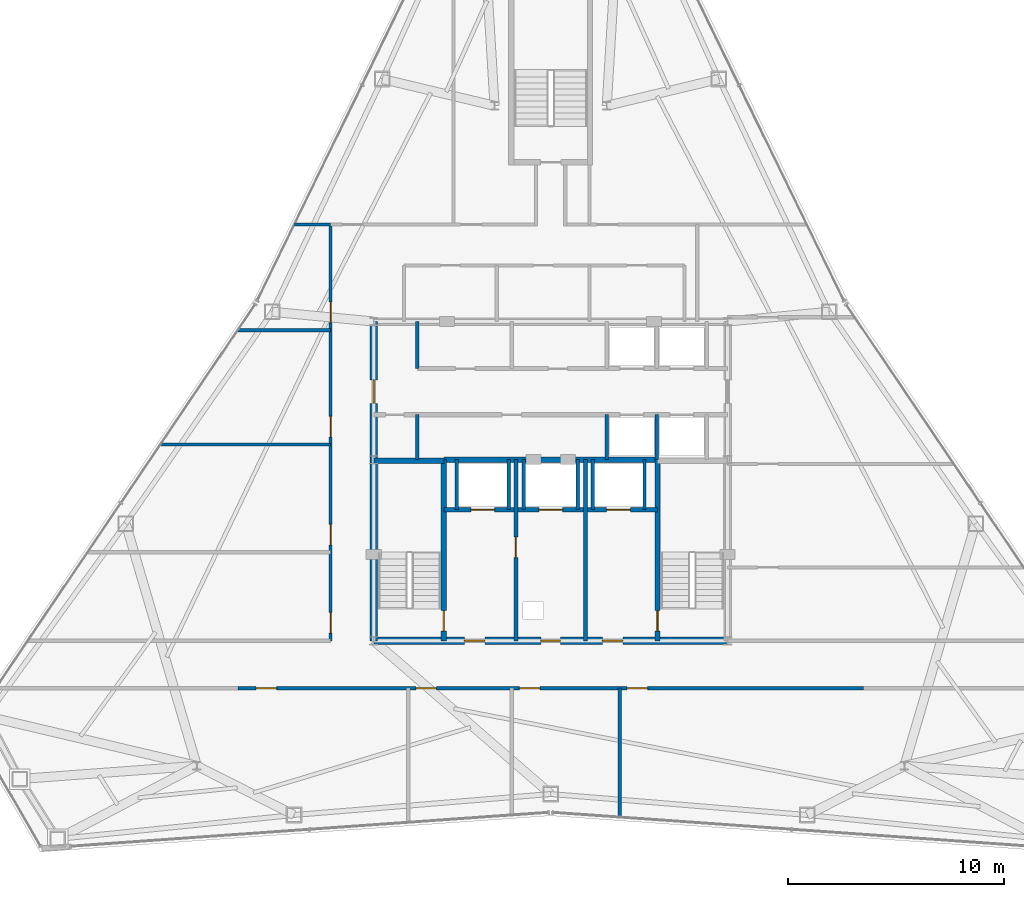
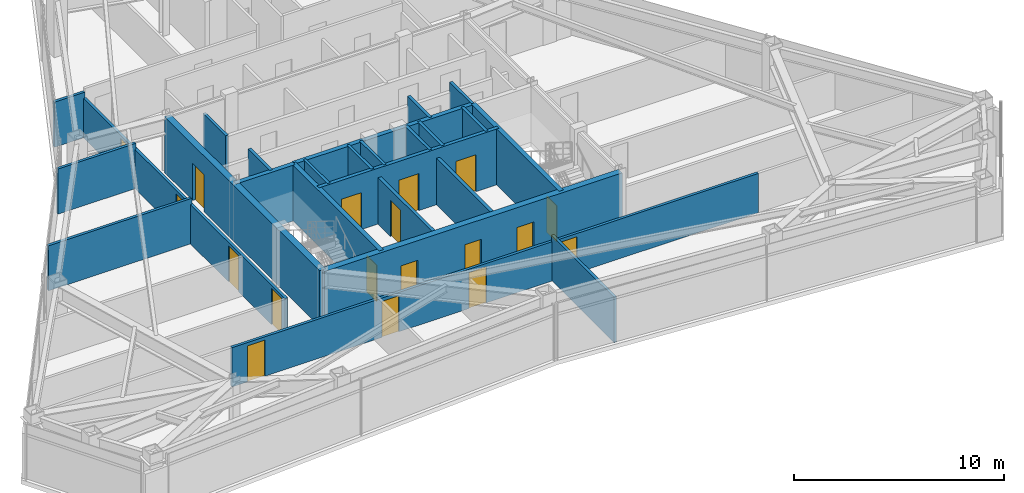
# One storey, part 9 of 12: 25 walls, 18 doors, 18 openings.
"""IFC4 building model written with IfcOpenShell, lengths in metres."""

from ifc_helpers import new_model, si_unit, direction, frame, frame_2d, origin, place, context, subcontext, project, spatial, rectangle, extrude, material, layer, layer_set, type_object, element, fill, save


model = new_model("IFC4")

# Units and contexts
model_context = context("Model", 3, precision=1e-05, world=origin(), true_north=direction((0.0, 1.0)))
body_context = subcontext(model_context, "Body", "Model", "MODEL_VIEW")
ifc_project = project(units=[si_unit("LENGTHUNIT", "METRE"), si_unit("AREAUNIT", "SQUARE_METRE"), si_unit("VOLUMEUNIT", "CUBIC_METRE"), si_unit("PLANEANGLEUNIT", "RADIAN"), si_unit("MASSUNIT", "GRAM", prefix="KILO")], contexts=[model_context])

# Site, building, storey
site_placement = place(None, origin())
site = spatial("IfcSite", under=ifc_project, at=site_placement, CompositionType="ELEMENT")
building_placement = place(site_placement, origin())
building = spatial("IfcBuilding", under=site, at=building_placement, Name="Varakhsha Concourse Tower", CompositionType="ELEMENT")
storey_placement = place(building_placement, frame((0.0, 0.0, 208.39990234375)))
storey = spatial("IfcBuildingStorey", under=building, at=storey_placement, Name="L59", CompositionType="ELEMENT", Elevation=208.39990234375)

# Wall, openings, doors
ifc_material_1 = material(Name="Concrete fc 65 MPa", Category="concrete")
ifc_layer_1 = layer(ifc_material_1, 0.35009765625, Name="WL-CORE-350")
ifc_layer_set_1 = layer_set([ifc_layer_1], Name="Concrete fc 65 MPa")
wall_type_1 = type_object("IfcWallType", Name="WL-CORE-350", PredefinedType="SHEAR", material=ifc_layer_set_1)
wall_1_placement = place(storey_placement, frame((31.800048828125, 16.39990234375, 0.0), z_axis=(0.0, 0.0, 1.0), x_axis=(1.0, 0.0, 0.0)))
wall_1 = element("IfcWall", 1, at=wall_1_placement, inside=storey, type_object=wall_type_1, Name="L59 Wall CWALL-S-L59", PredefinedType="SHEAR", context=body_context, shape_type="SweptSolid", body=[
    extrude(rectangle(XDim=16.39990234375, YDim=0.35009765625, at=frame_2d((8.199951171875, 0.0))), origin(), (0.0, 0.0, 1.0), 3.25),
])
opening_1_placement = place(wall_1_placement, frame((7.75, 0.0, 0.0)))
opening_1 = element("IfcOpeningElement", 2, at=opening_1_placement, cuts=wall_1, Name="Opening DF-06", PredefinedType="OPENING", context=body_context, shape_type="SweptSolid", body=[
    extrude(rectangle(XDim=0.89990234375, YDim=2.10009765625, at=frame_2d((0.449951171875, 1.050048828125))), frame((0.0, 0.18505859375, 0.0), z_axis=(0.0, -1.0, 0.0), x_axis=(1.0, 0.0, 0.0)), (0.0, 0.0, 1.0), 0.3701171875),
])
opening_2_placement = place(wall_1_placement, frame((4.199951171875, 0.0, 0.0)))
opening_2 = element("IfcOpeningElement", 3, at=opening_2_placement, cuts=wall_1, Name="Opening DF-05", PredefinedType="OPENING", context=body_context, shape_type="SweptSolid", body=[
    extrude(rectangle(XDim=0.949951171875, YDim=2.10009765625, at=frame_2d((0.47509765625, 1.050048828125))), frame((0.0, 0.18505859375, 0.0), z_axis=(0.0, -1.0, 0.0), x_axis=(1.0, 0.0, 0.0)), (0.0, 0.0, 1.0), 0.3701171875),
])
opening_3_placement = place(wall_1_placement, frame((10.60009765625, 0.0, 0.0)))
opening_3 = element("IfcOpeningElement", 4, at=opening_3_placement, cuts=wall_1, Name="Opening DF-05", PredefinedType="OPENING", context=body_context, shape_type="SweptSolid", body=[
    extrude(rectangle(XDim=0.949951171875, YDim=2.10009765625, at=frame_2d((0.47509765625, 1.050048828125))), frame((0.0, 0.18505859375, 0.0), z_axis=(0.0, -1.0, 0.0), x_axis=(1.0, 0.0, 0.0)), (0.0, 0.0, 1.0), 0.3701171875),
])
ifc_material_2 = material(Name="Hollow Galvanised Steel Fire Door Assembly", Category="steel")
door_type_1 = type_object("IfcDoorType", Name="DR-FD60-900", OperationType="NOTDEFINED", PredefinedType="DOOR", material=ifc_material_2)
door_1_placement = place(opening_1_placement, origin())
door_1 = element("IfcDoor", 5, at=door_1_placement, inside=storey, type_object=door_type_1, Name="L59 Service Riser Vestibule Door", OperationType="SINGLE_SWING_LEFT", OverallHeight=2.10009765625, OverallWidth=0.89990234375, PredefinedType="DOOR", context=body_context, shape_type="SweptSolid", body=[
    extrude(rectangle(XDim=0.89990234375, YDim=2.10009765625, at=frame_2d((0.449951171875, 1.050048828125))), frame((0.0, 0.02490234375, 0.0), z_axis=(0.0, -1.0, 0.0), x_axis=(1.0, 0.0, 0.0)), (0.0, 0.0, 1.0), 0.050048828125),
])
fill(opening_1, door_1)
door_type_2 = type_object("IfcDoorType", Name="DR-FD60-950", OperationType="NOTDEFINED", PredefinedType="DOOR", material=ifc_material_2)
door_2_placement = place(opening_2_placement, origin())
door_2 = element("IfcDoor", 6, at=door_2_placement, inside=storey, type_object=door_type_2, Name="L59 Firefighting Lobby West Door", OperationType="SINGLE_SWING_RIGHT", OverallHeight=2.10009765625, OverallWidth=0.949951171875, PredefinedType="DOOR", context=body_context, shape_type="SweptSolid", body=[
    extrude(rectangle(XDim=0.949951171875, YDim=2.10009765625, at=frame_2d((0.47509765625, 1.050048828125))), frame((0.0, 0.02490234375, 0.0), z_axis=(0.0, -1.0, 0.0), x_axis=(1.0, 0.0, 0.0)), (0.0, 0.0, 1.0), 0.050048828125),
])
fill(opening_2, door_2)
door_3_placement = place(opening_3_placement, origin())
door_3 = element("IfcDoor", 7, at=door_3_placement, inside=storey, type_object=door_type_2, Name="L59 Firefighting Lobby East Door", OperationType="SINGLE_SWING_LEFT", OverallHeight=2.10009765625, OverallWidth=0.949951171875, PredefinedType="DOOR", context=body_context, shape_type="SweptSolid", body=[
    extrude(rectangle(XDim=0.949951171875, YDim=2.10009765625, at=frame_2d((0.47509765625, 1.050048828125))), frame((0.0, 0.02490234375, 0.0), z_axis=(0.0, -1.0, 0.0), x_axis=(1.0, 0.0, 0.0)), (0.0, 0.0, 1.0), 0.050048828125),
])
fill(opening_3, door_3)

# Wall, opening, door
wall_2_placement = place(storey_placement, frame((31.800048828125, 16.39990234375, 0.0), z_axis=(0.0, 0.0, 1.0), x_axis=(0.0, 1.0, 0.0)))
wall_2 = element("IfcWall", 8, at=wall_2_placement, inside=storey, type_object=wall_type_1, Name="L59 Wall CWALL-W-L59", PredefinedType="SHEAR", context=body_context, shape_type="SweptSolid", body=[
    extrude(rectangle(XDim=14.800048828125, YDim=0.35009765625, at=frame_2d((7.39990234375, 0.0))), origin(), (0.0, 0.0, 1.0), 3.25),
])
opening_4_placement = place(wall_2_placement, frame((11.0, 0.0, 0.0)))
opening_4 = element("IfcOpeningElement", 9, at=opening_4_placement, cuts=wall_2, Name="Opening DL-01", PredefinedType="OPENING", context=body_context, shape_type="SweptSolid", body=[
    extrude(rectangle(XDim=1.10009765625, YDim=2.14990234375, at=frame_2d((0.550048828125, 1.074951171875))), frame((0.0, 0.18505859375, 0.0), z_axis=(0.0, -1.0, 0.0), x_axis=(1.0, 0.0, 0.0)), (0.0, 0.0, 1.0), 0.3701171875),
])
ifc_material_3 = material(Name="Anodised Bronze Architectural Aluminium AA 6063-T6", Category="aluminium")
door_type_3 = type_object("IfcDoorType", Name="DR-LOB-1100", OperationType="NOTDEFINED", PredefinedType="DOOR", material=ifc_material_3)
door_4_placement = place(opening_4_placement, origin())
door_4 = element("IfcDoor", 10, at=door_4_placement, inside=storey, type_object=door_type_3, Name="L59 Lift Lobby West Concourse Door", OperationType="SINGLE_SWING_LEFT", OverallHeight=2.14990234375, OverallWidth=1.10009765625, PredefinedType="DOOR", context=body_context, shape_type="SweptSolid", body=[
    extrude(rectangle(XDim=1.10009765625, YDim=2.14990234375, at=frame_2d((0.550048828125, 1.074951171875))), frame((0.0, 0.02490234375, 0.0), z_axis=(0.0, -1.0, 0.0), x_axis=(1.0, 0.0, 0.0)), (0.0, 0.0, 1.0), 0.050048828125),
])
fill(opening_4, door_4)

ifc_material_4 = material(Name="Fire-Rated Type X Gypsum Partition Assembly", Category="gypsum")
ifc_layer_2 = layer(ifc_material_4, 0.179931640625, Name="WL-FFLOB-180")
ifc_layer_set_2 = layer_set([ifc_layer_2], Name="Fire-Rated Type X Gypsum Partition Assembly")
wall_type_2 = type_object("IfcWallType", Name="WL-FFLOB-180", PredefinedType="PARTITIONING", material=ifc_layer_set_2)
wall_3_placement = place(storey_placement, frame((38.389892578125, 16.39990234375, 0.0), z_axis=(0.0, 0.0, 1.0), x_axis=(0.0, 1.0, 0.0)))
wall_3 = element("IfcWall", 11, at=wall_3_placement, inside=storey, type_object=wall_type_2, Name="L59 Wall FFW-1E-L59", PredefinedType="PARTITIONING", context=body_context, shape_type="SweptSolid", body=[
    extrude(rectangle(XDim=8.400146484375, YDim=0.179931640625, at=frame_2d((4.2001953125, 0.0))), origin(), (0.0, 0.0, 1.0), 2.705078125),
])
opening_5_placement = place(wall_3_placement, frame((3.85009765625, 0.0, 0.0)))
opening_5 = element("IfcOpeningElement", 12, at=opening_5_placement, cuts=wall_3, Name="Opening DF-05", PredefinedType="OPENING", context=body_context, shape_type="SweptSolid", body=[
    extrude(rectangle(XDim=0.949951171875, YDim=2.10009765625, at=frame_2d((0.47509765625, 1.050048828125))), frame((0.0, 0.099853515625, 0.0), z_axis=(0.0, -1.0, 0.0), x_axis=(1.0, 0.0, 0.0)), (0.0, 0.0, 1.0), 0.199951171875),
])
door_5_placement = place(opening_5_placement, origin())
door_5 = element("IfcDoor", 13, at=door_5_placement, inside=storey, type_object=door_type_2, Name="L59 Service Vestibule Door", OperationType="SINGLE_SWING_RIGHT", OverallHeight=2.10009765625, OverallWidth=0.949951171875, PredefinedType="DOOR", context=body_context, shape_type="SweptSolid", body=[
    extrude(rectangle(XDim=0.949951171875, YDim=2.10009765625, at=frame_2d((0.47509765625, 1.050048828125))), frame((0.0, 0.02490234375, 0.0), z_axis=(0.0, -1.0, 0.0), x_axis=(1.0, 0.0, 0.0)), (0.0, 0.0, 1.0), 0.050048828125),
])
fill(opening_5, door_5)

# Wall
wall_4_placement = place(storey_placement, frame((41.610107421875, 16.39990234375, 0.0), z_axis=(0.0, 0.0, 1.0), x_axis=(0.0, 1.0, 0.0)))
element("IfcWall", 14, at=wall_4_placement, inside=storey, type_object=wall_type_2, Name="L59 Wall FFW-2W-L59", PredefinedType="PARTITIONING", context=body_context, shape_type="SweptSolid", body=[
    extrude(rectangle(XDim=8.400146484375, YDim=0.179931640625, at=frame_2d((4.2001953125, 0.0))), origin(), (0.0, 0.0, 1.0), 2.705078125),
])

# Wall, openings, doors
ifc_layer_3 = layer(ifc_material_4, 0.14990234375, Name="WL-PART-150")
ifc_layer_set_3 = layer_set([ifc_layer_3], Name="Fire-Rated Type X Gypsum Partition Assembly")
wall_type_3 = type_object("IfcWallType", Name="WL-PART-150", PredefinedType="PARTITIONING", material=ifc_layer_set_3)
wall_5_placement = place(storey_placement, frame((29.800048828125, 16.39990234375, 0.0), z_axis=(0.0, 0.0, 1.0), x_axis=(0.0, 1.0, 0.0)))
wall_5 = element("IfcWall", 15, at=wall_5_placement, inside=storey, type_object=wall_type_3, Name="L59 Wall CRW-W-L59", PredefinedType="PARTITIONING", context=body_context, shape_type="SweptSolid", body=[
    extrude(rectangle(XDim=19.300048828125, YDim=0.14990234375, at=frame_2d((9.64990234375, 0.0))), origin(), (0.0, 0.0, 1.0), 2.2919921875),
])
opening_6_placement = place(wall_5_placement, frame((0.35009765625, 0.0, 0.0)))
opening_6 = element("IfcOpeningElement", 16, at=opening_6_placement, cuts=wall_5, Name="Opening DF-05", PredefinedType="OPENING", context=body_context, shape_type="SweptSolid", body=[
    extrude(rectangle(XDim=0.949951171875, YDim=2.10009765625, at=frame_2d((0.47509765625, 1.050048828125))), frame((0.0, 0.0849609375, 0.0), z_axis=(0.0, -1.0, 0.0), x_axis=(1.0, 0.0, 0.0)), (0.0, 0.0, 1.0), 0.169921875),
])
opening_7_placement = place(wall_5_placement, frame((4.449951171875, 0.0, 0.0)))
opening_7 = element("IfcOpeningElement", 17, at=opening_7_placement, cuts=wall_5, Name="Opening DF-05", PredefinedType="OPENING", context=body_context, shape_type="SweptSolid", body=[
    extrude(rectangle(XDim=0.949951171875, YDim=2.10009765625, at=frame_2d((0.47509765625, 1.050048828125))), frame((0.0, 0.0849609375, 0.0), z_axis=(0.0, -1.0, 0.0), x_axis=(1.0, 0.0, 0.0)), (0.0, 0.0, 1.0), 0.169921875),
])
opening_8_placement = place(wall_5_placement, frame((9.449951171875, 0.0, 0.0)))
opening_8 = element("IfcOpeningElement", 18, at=opening_8_placement, cuts=wall_5, Name="Opening DF-05", PredefinedType="OPENING", context=body_context, shape_type="SweptSolid", body=[
    extrude(rectangle(XDim=0.949951171875, YDim=2.10009765625, at=frame_2d((0.47509765625, 1.050048828125))), frame((0.0, 0.0849609375, 0.0), z_axis=(0.0, -1.0, 0.0), x_axis=(1.0, 0.0, 0.0)), (0.0, 0.0, 1.0), 0.169921875),
])
opening_9_placement = place(wall_5_placement, frame((14.75, 0.0, 0.0)))
opening_9 = element("IfcOpeningElement", 19, at=opening_9_placement, cuts=wall_5, Name="Opening DF-05", PredefinedType="OPENING", context=body_context, shape_type="SweptSolid", body=[
    extrude(rectangle(XDim=0.949951171875, YDim=2.10009765625, at=frame_2d((0.47509765625, 1.050048828125))), frame((0.0, 0.0849609375, 0.0), z_axis=(0.0, -1.0, 0.0), x_axis=(1.0, 0.0, 0.0)), (0.0, 0.0, 1.0), 0.169921875),
])
door_6_placement = place(opening_6_placement, origin())
door_6 = element("IfcDoor", 20, at=door_6_placement, inside=storey, type_object=door_type_2, Name="L59 Diplomatic Reception Gallery L59 Door", OperationType="SINGLE_SWING_LEFT", OverallHeight=2.10009765625, OverallWidth=0.949951171875, PredefinedType="DOOR", context=body_context, shape_type="SweptSolid", body=[
    extrude(rectangle(XDim=0.949951171875, YDim=2.10009765625, at=frame_2d((0.47509765625, 1.050048828125))), frame((0.0, 0.02490234375, 0.0), z_axis=(0.0, -1.0, 0.0), x_axis=(1.0, 0.0, 0.0)), (0.0, 0.0, 1.0), 0.050048828125),
])
fill(opening_6, door_6)
door_7_placement = place(opening_7_placement, origin())
door_7 = element("IfcDoor", 21, at=door_7_placement, inside=storey, type_object=door_type_2, Name="L59 Executive Director Suite L59-W2 Door", OperationType="SINGLE_SWING_RIGHT", OverallHeight=2.10009765625, OverallWidth=0.949951171875, PredefinedType="DOOR", context=body_context, shape_type="SweptSolid", body=[
    extrude(rectangle(XDim=0.949951171875, YDim=2.10009765625, at=frame_2d((0.47509765625, 1.050048828125))), frame((0.0, 0.02490234375, 0.0), z_axis=(0.0, -1.0, 0.0), x_axis=(1.0, 0.0, 0.0)), (0.0, 0.0, 1.0), 0.050048828125),
])
fill(opening_7, door_7)
door_8_placement = place(opening_8_placement, origin())
door_8 = element("IfcDoor", 22, at=door_8_placement, inside=storey, type_object=door_type_2, Name="L59 Executive Director Suite L59-W3 Door", OperationType="SINGLE_SWING_LEFT", OverallHeight=2.10009765625, OverallWidth=0.949951171875, PredefinedType="DOOR", context=body_context, shape_type="SweptSolid", body=[
    extrude(rectangle(XDim=0.949951171875, YDim=2.10009765625, at=frame_2d((0.47509765625, 1.050048828125))), frame((0.0, 0.02490234375, 0.0), z_axis=(0.0, -1.0, 0.0), x_axis=(1.0, 0.0, 0.0)), (0.0, 0.0, 1.0), 0.050048828125),
])
fill(opening_8, door_8)
door_9_placement = place(opening_9_placement, origin())
door_9 = element("IfcDoor", 23, at=door_9_placement, inside=storey, type_object=door_type_2, Name="L59 Executive Director Suite L59-W4 Door", OperationType="SINGLE_SWING_RIGHT", OverallHeight=2.10009765625, OverallWidth=0.949951171875, PredefinedType="DOOR", context=body_context, shape_type="SweptSolid", body=[
    extrude(rectangle(XDim=0.949951171875, YDim=2.10009765625, at=frame_2d((0.47509765625, 1.050048828125))), frame((0.0, 0.02490234375, 0.0), z_axis=(0.0, -1.0, 0.0), x_axis=(1.0, 0.0, 0.0)), (0.0, 0.0, 1.0), 0.050048828125),
])
fill(opening_9, door_9)

wall_6_placement = place(storey_placement, frame((25.5, 14.199951171875, 0.0), z_axis=(0.0, 0.0, 1.0), x_axis=(1.0, 0.0, 0.0)))
wall_6 = element("IfcWall", 24, at=wall_6_placement, inside=storey, type_object=wall_type_3, Name="L59 Wall CRW-S-DOOR-L59", PredefinedType="PARTITIONING", context=body_context, shape_type="SweptSolid", body=[
    extrude(rectangle(XDim=29.0, YDim=0.14990234375, at=frame_2d((14.5, 0.0))), origin(), (0.0, 0.0, 1.0), 2.2919921875),
])
opening_10_placement = place(wall_6_placement, frame((0.85009765625, 0.0, 0.0)))
opening_10 = element("IfcOpeningElement", 25, at=opening_10_placement, cuts=wall_6, Name="Opening DF-05", PredefinedType="OPENING", context=body_context, shape_type="SweptSolid", body=[
    extrude(rectangle(XDim=0.949951171875, YDim=2.10009765625, at=frame_2d((0.47509765625, 1.050048828125))), frame((0.0, 0.0849609375, 0.0), z_axis=(0.0, -1.0, 0.0), x_axis=(1.0, 0.0, 0.0)), (0.0, 0.0, 1.0), 0.169921875),
])
opening_11_placement = place(wall_6_placement, frame((8.25, 0.0, 0.0)))
opening_11 = element("IfcOpeningElement", 26, at=opening_11_placement, cuts=wall_6, Name="Opening DF-05", PredefinedType="OPENING", context=body_context, shape_type="SweptSolid", body=[
    extrude(rectangle(XDim=0.949951171875, YDim=2.10009765625, at=frame_2d((0.47509765625, 1.050048828125))), frame((0.0, 0.0849609375, 0.0), z_axis=(0.0, -1.0, 0.0), x_axis=(1.0, 0.0, 0.0)), (0.0, 0.0, 1.0), 0.169921875),
])
opening_12_placement = place(wall_6_placement, frame((13.050048828125, 0.0, 0.0)))
opening_12 = element("IfcOpeningElement", 27, at=opening_12_placement, cuts=wall_6, Name="Opening DF-05", PredefinedType="OPENING", context=body_context, shape_type="SweptSolid", body=[
    extrude(rectangle(XDim=0.949951171875, YDim=2.10009765625, at=frame_2d((0.47509765625, 1.050048828125))), frame((0.0, 0.0849609375, 0.0), z_axis=(0.0, -1.0, 0.0), x_axis=(1.0, 0.0, 0.0)), (0.0, 0.0, 1.0), 0.169921875),
])
opening_13_placement = place(wall_6_placement, frame((18.050048828125, 0.0, 0.0)))
opening_13 = element("IfcOpeningElement", 28, at=opening_13_placement, cuts=wall_6, Name="Opening DF-05", PredefinedType="OPENING", context=body_context, shape_type="SweptSolid", body=[
    extrude(rectangle(XDim=0.949951171875, YDim=2.10009765625, at=frame_2d((0.47509765625, 1.050048828125))), frame((0.0, 0.0849609375, 0.0), z_axis=(0.0, -1.0, 0.0), x_axis=(1.0, 0.0, 0.0)), (0.0, 0.0, 1.0), 0.169921875),
])
door_10_placement = place(opening_10_placement, origin())
door_10 = element("IfcDoor", 29, at=door_10_placement, inside=storey, type_object=door_type_2, Name="L59 Grand Corner Boardroom L59-S1 Door", OperationType="SINGLE_SWING_LEFT", OverallHeight=2.10009765625, OverallWidth=0.949951171875, PredefinedType="DOOR", context=body_context, shape_type="SweptSolid", body=[
    extrude(rectangle(XDim=0.949951171875, YDim=2.10009765625, at=frame_2d((0.47509765625, 1.050048828125))), frame((0.0, 0.02490234375, 0.0), z_axis=(0.0, -1.0, 0.0), x_axis=(1.0, 0.0, 0.0)), (0.0, 0.0, 1.0), 0.050048828125),
])
fill(opening_10, door_10)
door_11_placement = place(opening_11_placement, origin())
door_11 = element("IfcDoor", 30, at=door_11_placement, inside=storey, type_object=door_type_2, Name="L59 Executive Director Suite L59-S2 Door", OperationType="SINGLE_SWING_RIGHT", OverallHeight=2.10009765625, OverallWidth=0.949951171875, PredefinedType="DOOR", context=body_context, shape_type="SweptSolid", body=[
    extrude(rectangle(XDim=0.949951171875, YDim=2.10009765625, at=frame_2d((0.47509765625, 1.050048828125))), frame((0.0, 0.02490234375, 0.0), z_axis=(0.0, -1.0, 0.0), x_axis=(1.0, 0.0, 0.0)), (0.0, 0.0, 1.0), 0.050048828125),
])
fill(opening_11, door_11)
door_12_placement = place(opening_12_placement, origin())
door_12 = element("IfcDoor", 31, at=door_12_placement, inside=storey, type_object=door_type_2, Name="L59 Executive Director Suite L59-S3 Door", OperationType="SINGLE_SWING_LEFT", OverallHeight=2.10009765625, OverallWidth=0.949951171875, PredefinedType="DOOR", context=body_context, shape_type="SweptSolid", body=[
    extrude(rectangle(XDim=0.949951171875, YDim=2.10009765625, at=frame_2d((0.47509765625, 1.050048828125))), frame((0.0, 0.02490234375, 0.0), z_axis=(0.0, -1.0, 0.0), x_axis=(1.0, 0.0, 0.0)), (0.0, 0.0, 1.0), 0.050048828125),
])
fill(opening_12, door_12)
door_13_placement = place(opening_13_placement, origin())
door_13 = element("IfcDoor", 32, at=door_13_placement, inside=storey, type_object=door_type_2, Name="L59 Executive Director Suite L59-S4 Door", OperationType="SINGLE_SWING_RIGHT", OverallHeight=2.10009765625, OverallWidth=0.949951171875, PredefinedType="DOOR", context=body_context, shape_type="SweptSolid", body=[
    extrude(rectangle(XDim=0.949951171875, YDim=2.10009765625, at=frame_2d((0.47509765625, 1.050048828125))), frame((0.0, 0.02490234375, 0.0), z_axis=(0.0, -1.0, 0.0), x_axis=(1.0, 0.0, 0.0)), (0.0, 0.0, 1.0), 0.050048828125),
])
fill(opening_13, door_13)

# Walls
wall_7_placement = place(storey_placement, frame((43.199951171875, 8.2236328125, 0.0), z_axis=(0.0, 0.0, 1.0), x_axis=(0.0, 1.0, 0.0)))
element("IfcWall", 33, at=wall_7_placement, inside=storey, type_object=wall_type_3, Name="L59 Wall ODIV-S3-L59", PredefinedType="PARTITIONING", context=body_context, shape_type="SweptSolid", body=[
    extrude(rectangle(XDim=5.976318359375, YDim=0.14990234375, at=frame_2d((2.98828125, 0.0))), origin(), (0.0, 0.0, 1.0), 2.628173828125),
])
wall_8_placement = place(storey_placement, frame((28.124267578125, 35.699951171875, 0.0), z_axis=(0.0, 0.0, 1.0), x_axis=(1.0, 0.0, 0.0)))
element("IfcWall", 34, at=wall_8_placement, inside=storey, type_object=wall_type_3, Name="L59 Wall ODIV-WBN-L59", PredefinedType="PARTITIONING", context=body_context, shape_type="SweptSolid", body=[
    extrude(rectangle(XDim=1.67578125, YDim=0.14990234375, at=frame_2d((0.837890625, 0.0))), origin(), (0.0, 0.0, 1.0), 2.628173828125),
])
wall_9_placement = place(storey_placement, frame((21.91650390625, 25.5, 0.0), z_axis=(0.0, 0.0, 1.0), x_axis=(1.0, 0.0, 0.0)))
element("IfcWall", 35, at=wall_9_placement, inside=storey, type_object=wall_type_3, Name="L59 Wall ODIV-W2-L59", PredefinedType="PARTITIONING", context=body_context, shape_type="SweptSolid", body=[
    extrude(rectangle(XDim=7.883544921875, YDim=0.14990234375, at=frame_2d((3.94189453125, 0.0))), origin(), (0.0, 0.0, 1.0), 2.628173828125),
])
wall_10_placement = place(storey_placement, frame((25.498779296875, 30.800048828125, 0.0), z_axis=(0.0, 0.0, 1.0), x_axis=(1.0, 0.0, 0.0)))
element("IfcWall", 36, at=wall_10_placement, inside=storey, type_object=wall_type_3, Name="L59 Wall ODIV-W3-L59", PredefinedType="PARTITIONING", context=body_context, shape_type="SweptSolid", body=[
    extrude(rectangle(XDim=4.30126953125, YDim=0.14990234375, at=frame_2d((2.150634765625, 0.0))), origin(), (0.0, 0.0, 1.0), 2.628173828125),
])

# Wall, openings, doors
ifc_layer_4 = layer(ifc_material_4, 0.199951171875, Name="WL-SHAFT-220")
ifc_layer_set_4 = layer_set([ifc_layer_4], Name="Fire-Rated Type X Gypsum Partition Assembly")
wall_type_4 = type_object("IfcWallType", Name="WL-SHAFT-220", PredefinedType="SOLIDWALL", material=ifc_layer_set_4)
wall_11_placement = place(storey_placement, frame((35.044921875, 22.47998046875, 0.0), z_axis=(0.0, 0.0, 1.0), x_axis=(1.0, 0.0, 0.0)))
wall_11 = element("IfcWall", 37, at=wall_11_placement, inside=storey, type_object=wall_type_4, Name="L59 Wall FFW-NH-L59", PredefinedType="SOLIDWALL", context=body_context, shape_type="SweptSolid", body=[
    extrude(rectangle(XDim=9.91015625, YDim=0.199951171875, at=frame_2d((4.955078125, 0.0))), origin(), (0.0, 0.0, 1.0), 3.25),
])
opening_14_placement = place(wall_11_placement, frame((1.2548828125, 0.0, 0.0)))
opening_14 = element("IfcOpeningElement", 38, at=opening_14_placement, cuts=wall_11, Name="Opening LD-FFL-1", PredefinedType="OPENING", context=body_context, shape_type="SweptSolid", body=[
    extrude(rectangle(XDim=1.10009765625, YDim=2.14990234375, at=frame_2d((0.550048828125, 1.074951171875))), frame((0.0, 0.10986328125, 0.0), z_axis=(0.0, -1.0, 0.0), x_axis=(1.0, 0.0, 0.0)), (0.0, 0.0, 1.0), 0.219970703125),
])
opening_15_placement = place(wall_11_placement, frame((7.554931640625, 0.0, 0.0)))
opening_15 = element("IfcOpeningElement", 39, at=opening_15_placement, cuts=wall_11, Name="Opening LD-FFL-2", PredefinedType="OPENING", context=body_context, shape_type="SweptSolid", body=[
    extrude(rectangle(XDim=1.10009765625, YDim=2.14990234375, at=frame_2d((0.550048828125, 1.074951171875))), frame((0.0, 0.10986328125, 0.0), z_axis=(0.0, -1.0, 0.0), x_axis=(1.0, 0.0, 0.0)), (0.0, 0.0, 1.0), 0.219970703125),
])
opening_16_placement = place(wall_11_placement, frame((4.405029296875, 0.0, 0.0)))
opening_16 = element("IfcOpeningElement", 40, at=opening_16_placement, cuts=wall_11, Name="Opening LD-SVL-1", PredefinedType="OPENING", context=body_context, shape_type="SweptSolid", body=[
    extrude(rectangle(XDim=1.10009765625, YDim=2.14990234375, at=frame_2d((0.550048828125, 1.074951171875))), frame((0.0, 0.10986328125, 0.0), z_axis=(0.0, -1.0, 0.0), x_axis=(1.0, 0.0, 0.0)), (0.0, 0.0, 1.0), 0.219970703125),
])
ifc_material_5 = material(Name="Brushed Austenitic Stainless Steel AISI 316", Category="steel")
door_type_4 = type_object("IfcDoorType", Name="DR-LD-1100", OperationType="DOUBLE_DOOR_SLIDING", PredefinedType="DOOR", material=ifc_material_5)
door_14_placement = place(opening_14_placement, origin())
door_14 = element("IfcDoor", 41, at=door_14_placement, inside=storey, type_object=door_type_4, Name="Lift Landing Door FFL-1 L59", OperationType="DOUBLE_DOOR_SLIDING", OverallHeight=2.14990234375, OverallWidth=1.10009765625, PredefinedType="DOOR", context=body_context, shape_type="SweptSolid", body=[
    extrude(rectangle(XDim=1.10009765625, YDim=2.14990234375, at=frame_2d((0.550048828125, 1.074951171875))), frame((0.0, 0.02490234375, 0.0), z_axis=(0.0, -1.0, 0.0), x_axis=(1.0, 0.0, 0.0)), (0.0, 0.0, 1.0), 0.050048828125),
])
fill(opening_14, door_14)
door_15_placement = place(opening_15_placement, origin())
door_15 = element("IfcDoor", 42, at=door_15_placement, inside=storey, type_object=door_type_4, Name="Lift Landing Door FFL-2 L59", OperationType="DOUBLE_DOOR_SLIDING", OverallHeight=2.14990234375, OverallWidth=1.10009765625, PredefinedType="DOOR", context=body_context, shape_type="SweptSolid", body=[
    extrude(rectangle(XDim=1.10009765625, YDim=2.14990234375, at=frame_2d((0.550048828125, 1.074951171875))), frame((0.0, 0.02490234375, 0.0), z_axis=(0.0, -1.0, 0.0), x_axis=(1.0, 0.0, 0.0)), (0.0, 0.0, 1.0), 0.050048828125),
])
fill(opening_15, door_15)
door_16_placement = place(opening_16_placement, origin())
door_16 = element("IfcDoor", 43, at=door_16_placement, inside=storey, type_object=door_type_4, Name="Lift Landing Door SVL-1 L59", OperationType="DOUBLE_DOOR_SLIDING", OverallHeight=2.14990234375, OverallWidth=1.10009765625, PredefinedType="DOOR", context=body_context, shape_type="SweptSolid", body=[
    extrude(rectangle(XDim=1.10009765625, YDim=2.14990234375, at=frame_2d((0.550048828125, 1.074951171875))), frame((0.0, 0.02490234375, 0.0), z_axis=(0.0, -1.0, 0.0), x_axis=(1.0, 0.0, 0.0)), (0.0, 0.0, 1.0), 0.050048828125),
])
fill(opening_16, door_16)

# Walls
for number, where, z_axis, x_axis, name in (
    (44, (35.64990234375, 22.47998046875, 0.0), (0.0, 0.0, 1.0), (0.0, 1.0, 0.0), "L59 Wall SHW-FFL-1-W-L59"),
    (45, (38.050048828125, 22.47998046875, 0.0), (0.0, 0.0, 1.0), (0.0, 1.0, 0.0), "L59 Wall SHW-FFL-1-E-L59"),
    (46, (41.949951171875, 22.47998046875, 0.0), (0.0, 0.0, 1.0), (0.0, 1.0, 0.0), "L59 Wall SHW-FFL-2-W-L59"),
    (47, (44.35009765625, 22.47998046875, 0.0), (0.0, 0.0, 1.0), (0.0, 1.0, 0.0), "L59 Wall SHW-FFL-2-E-L59"),
    (48, (38.75, 22.47998046875, 0.0), (0.0, 0.0, 1.0), (0.0, 1.0, 0.0), "L59 Wall SHW-SVL-1-W-L59"),
    (49, (41.25, 22.47998046875, 0.0), (0.0, 0.0, 1.0), (0.0, 1.0, 0.0), "L59 Wall SHW-SVL-1-E-L59"),
):
    element("IfcWall", number, at=place(storey_placement, frame(where, z_axis=z_axis, x_axis=x_axis)), inside=storey, type_object=wall_type_4, Name=name, PredefinedType="SOLIDWALL", context=body_context, shape_type="SweptSolid", body=[
        extrude(rectangle(XDim=2.320068359375, YDim=0.159912109375, at=frame_2d((1.16015625, 0.0))), origin(), (0.0, 0.0, 1.0), 3.25),
    ])
wall_12_placement = place(storey_placement, frame((33.820068359375, 29.02001953125, 0.0), z_axis=(0.0, 0.0, 1.0), x_axis=(0.0, 1.0, 0.0)))
element("IfcWall", 50, at=wall_12_placement, inside=storey, type_object=wall_type_4, Name="L59 Wall WBOH-E1-L59", PredefinedType="SOLIDWALL", context=body_context, shape_type="SweptSolid", body=[
    extrude(rectangle(XDim=2.179931640625, YDim=0.159912109375, at=frame_2d((1.08984375, 0.0))), origin(), (0.0, 0.0, 1.0), 2.705078125),
])
for number, where, z_axis, x_axis, name in (
    (51, (33.820068359375, 24.800048828125, 0.0), (0.0, 0.0, 1.0), (0.0, 1.0, 0.0), "L59 Wall WBOH-E2-L59"),
    (52, (42.60009765625, 24.800048828125, 0.0), (0.0, 0.0, 1.0), (0.0, 1.0, 0.0), "L59 Wall SHW-LF-P11-W-L59"),
    (53, (44.919921875, 24.800048828125, 0.0), (0.0, 0.0, 1.0), (0.0, 1.0, 0.0), "L59 Wall SHW-LF-P11-E-L59"),
):
    element("IfcWall", number, at=place(storey_placement, frame(where, z_axis=z_axis, x_axis=x_axis)), inside=storey, type_object=wall_type_4, Name=name, PredefinedType="SOLIDWALL", context=body_context, shape_type="SweptSolid", body=[
        extrude(rectangle(XDim=2.079833984375, YDim=0.159912109375, at=frame_2d((1.0400390625, 0.0))), origin(), (0.0, 0.0, 1.0), 3.25),
    ])

# Wall, opening, door
ifc_material_6 = material(Name="Concrete fc 45 MPa", Category="concrete")
ifc_layer_5 = layer(ifc_material_6, 0.25, Name="WL-STAIR-250")
ifc_layer_set_5 = layer_set([ifc_layer_5], Name="Concrete fc 45 MPa")
wall_type_5 = type_object("IfcWallType", Name="WL-STAIR-250", PredefinedType="SHEAR", material=ifc_layer_set_5)
wall_13_placement = place(storey_placement, frame((35.044921875, 16.39990234375, 0.0), z_axis=(0.0, 0.0, 1.0), x_axis=(0.0, 1.0, 0.0)))
wall_13 = element("IfcWall", 54, at=wall_13_placement, inside=storey, type_object=wall_type_5, Name="L59 Wall SWALL-ST1-E-L59", PredefinedType="SHEAR", context=body_context, shape_type="SweptSolid", body=[
    extrude(rectangle(XDim=8.400146484375, YDim=0.25, at=frame_2d((4.2001953125, 0.0))), origin(), (0.0, 0.0, 1.0), 3.25),
])
opening_17_placement = place(wall_13_placement, frame((0.449951171875, 0.0, 0.0)))
opening_17 = element("IfcOpeningElement", 55, at=opening_17_placement, cuts=wall_13, Name="Opening DF-03", PredefinedType="OPENING", context=body_context, shape_type="SweptSolid", body=[
    extrude(rectangle(XDim=0.949951171875, YDim=2.10009765625, at=frame_2d((0.47509765625, 1.050048828125))), frame((0.0, 0.135009765625, 0.0), z_axis=(0.0, -1.0, 0.0), x_axis=(1.0, 0.0, 0.0)), (0.0, 0.0, 1.0), 0.27001953125),
])
door_type_5 = type_object("IfcDoorType", Name="DR-FD90-950", OperationType="NOTDEFINED", PredefinedType="DOOR", material=ifc_material_2)
door_17_placement = place(opening_17_placement, origin())
door_17 = element("IfcDoor", 56, at=door_17_placement, inside=storey, type_object=door_type_5, Name="L59 Stair ST1 Fire Door", OperationType="SINGLE_SWING_LEFT", OverallHeight=2.10009765625, OverallWidth=0.949951171875, PredefinedType="DOOR", context=body_context, shape_type="SweptSolid", body=[
    extrude(rectangle(XDim=0.949951171875, YDim=2.10009765625, at=frame_2d((0.47509765625, 1.050048828125))), frame((0.0, 0.02490234375, 0.0), z_axis=(0.0, -1.0, 0.0), x_axis=(1.0, 0.0, 0.0)), (0.0, 0.0, 1.0), 0.050048828125),
])
fill(opening_17, door_17)

# Wall
wall_14_placement = place(storey_placement, frame((31.800048828125, 24.7548828125, 0.0), z_axis=(0.0, 0.0, 1.0), x_axis=(1.0, 0.0, 0.0)))
element("IfcWall", 57, at=wall_14_placement, inside=storey, type_object=wall_type_5, Name="L59 Wall SWALL-ST1-N-L59", PredefinedType="SHEAR", context=body_context, shape_type="SweptSolid", body=[
    extrude(rectangle(XDim=3.244873046875, YDim=0.25, at=frame_2d((1.62255859375, 0.0))), origin(), (0.0, 0.0, 1.0), 3.25),
])

# Wall, opening, door
wall_15_placement = place(storey_placement, frame((44.955078125, 16.39990234375, 0.0), z_axis=(0.0, 0.0, 1.0), x_axis=(0.0, 1.0, 0.0)))
wall_15 = element("IfcWall", 58, at=wall_15_placement, inside=storey, type_object=wall_type_5, Name="L59 Wall SWALL-ST2-W-L59", PredefinedType="SHEAR", context=body_context, shape_type="SweptSolid", body=[
    extrude(rectangle(XDim=8.400146484375, YDim=0.25, at=frame_2d((4.2001953125, 0.0))), origin(), (0.0, 0.0, 1.0), 3.25),
])
opening_18_placement = place(wall_15_placement, frame((0.449951171875, 0.0, 0.0)))
opening_18 = element("IfcOpeningElement", 59, at=opening_18_placement, cuts=wall_15, Name="Opening DF-03", PredefinedType="OPENING", context=body_context, shape_type="SweptSolid", body=[
    extrude(rectangle(XDim=0.949951171875, YDim=2.10009765625, at=frame_2d((0.47509765625, 1.050048828125))), frame((0.0, 0.135009765625, 0.0), z_axis=(0.0, -1.0, 0.0), x_axis=(1.0, 0.0, 0.0)), (0.0, 0.0, 1.0), 0.27001953125),
])
door_18_placement = place(opening_18_placement, origin())
door_18 = element("IfcDoor", 60, at=door_18_placement, inside=storey, type_object=door_type_5, Name="L59 Stair ST2 Fire Door", OperationType="SINGLE_SWING_RIGHT", OverallHeight=2.10009765625, OverallWidth=0.949951171875, PredefinedType="DOOR", context=body_context, shape_type="SweptSolid", body=[
    extrude(rectangle(XDim=0.949951171875, YDim=2.10009765625, at=frame_2d((0.47509765625, 1.050048828125))), frame((0.0, 0.02490234375, 0.0), z_axis=(0.0, -1.0, 0.0), x_axis=(1.0, 0.0, 0.0)), (0.0, 0.0, 1.0), 0.050048828125),
])
fill(opening_18, door_18)

# Wall
wall_16_placement = place(storey_placement, frame((35.044921875, 24.800048828125, 0.0), z_axis=(0.0, 0.0, 1.0), x_axis=(1.0, 0.0, 0.0)))
element("IfcWall", 61, at=wall_16_placement, inside=storey, type_object=wall_type_5, Name="L59 Wall SWALL-MID-H-L59", PredefinedType="SHEAR", context=body_context, shape_type="SweptSolid", body=[
    extrude(rectangle(XDim=9.91015625, YDim=0.25, at=frame_2d((4.955078125, 0.0))), origin(), (0.0, 0.0, 1.0), 3.25),
])

save(model, "model.ifc")
